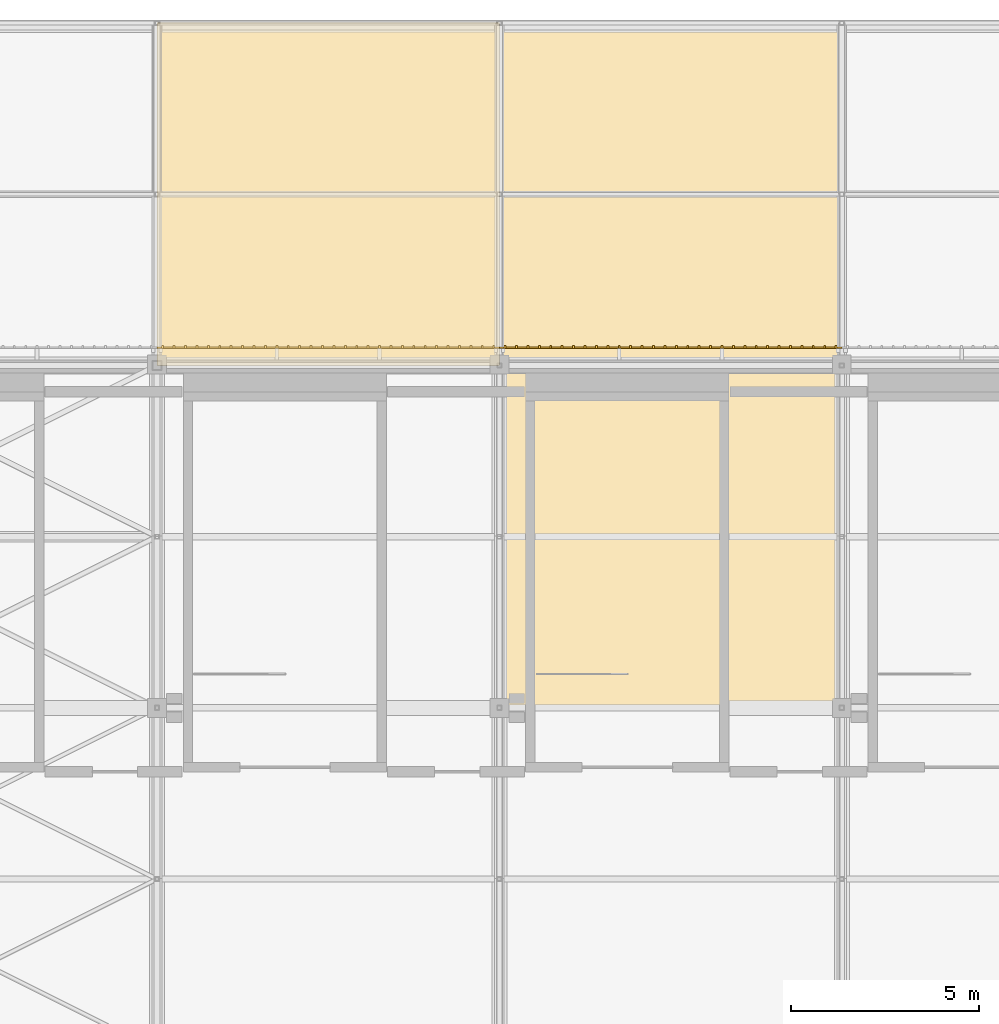
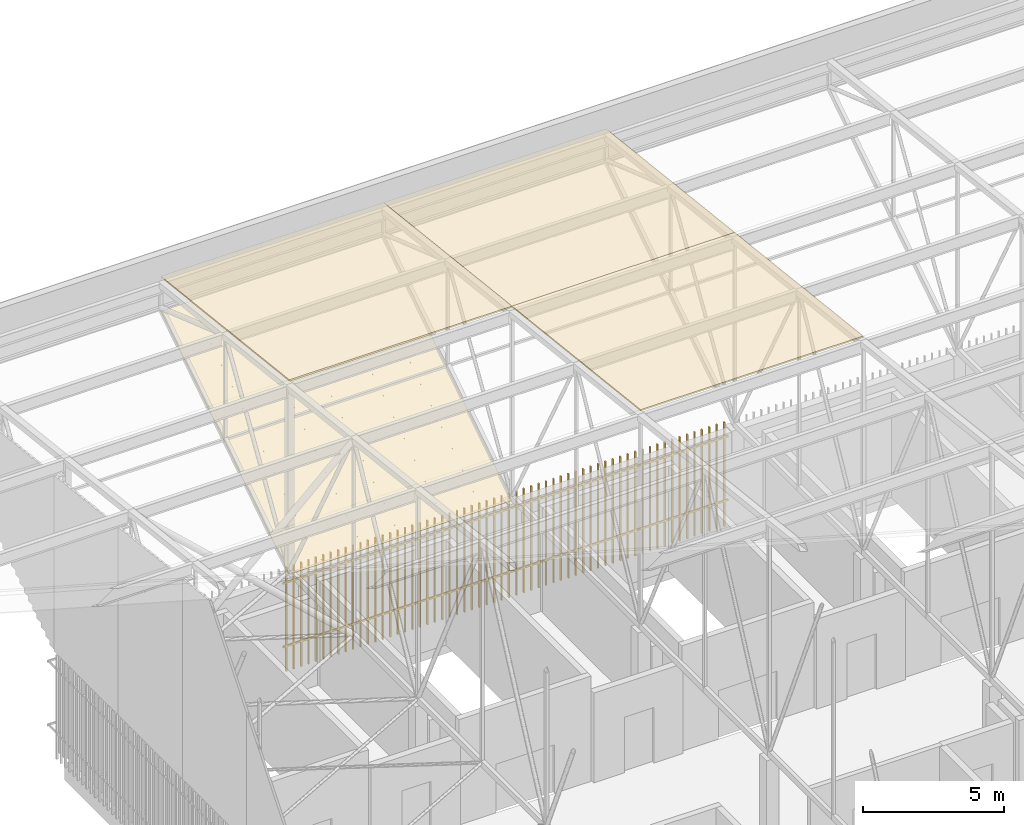
# One storey, part 476 of 500: 4 coverings, 2 shading devices.
"""IFC4 building model written with IfcOpenShell, lengths in metres."""

from ifc_helpers import new_model, si_unit, direction, frame, origin, origin_2d, place, context, subcontext, project, spatial, polyline, rectangle, outline, extrude, material, layer, layer_set, type_object, element, save


model = new_model("IFC4")

# Units and contexts
model_context = context("Model", 3, precision=1e-05, world=origin(), true_north=direction((0.0, 1.0)))
body_context = subcontext(model_context, "Body", "Model", "MODEL_VIEW")
ifc_project = project(units=[si_unit("LENGTHUNIT", "METRE"), si_unit("AREAUNIT", "SQUARE_METRE"), si_unit("VOLUMEUNIT", "CUBIC_METRE"), si_unit("PLANEANGLEUNIT", "RADIAN"), si_unit("MASSUNIT", "GRAM", prefix="KILO")], contexts=[model_context])

# Site, building, storey
site_placement = place(None, origin())
site = spatial("IfcSite", under=ifc_project, at=site_placement, CompositionType="ELEMENT")
building_placement = place(site_placement, origin())
building = spatial("IfcBuilding", under=site, at=building_placement, Name="Shirokan Park Arena", CompositionType="ELEMENT")
storey_placement = place(building_placement, frame((0.0, 0.0, 29.1201171875)))
storey = spatial("IfcBuildingStorey", under=building, at=storey_placement, Name="L06", CompositionType="ELEMENT", Elevation=29.1201171875)

# Coverings
ifc_material_1 = material(Name="Bituminous roofing membrane")
ifc_layer_1 = layer(ifc_material_1, 0.010009765625, Name="Bituminous roofing membrane")
ifc_material_2 = material(Name="Mineral wool insulation")
ifc_layer_2 = layer(ifc_material_2, 0.050048828125, Name="Mineral wool insulation")
ifc_layer_set_1 = layer_set([ifc_layer_1, ifc_layer_2], Name="Bituminous roofing membrane + Mineral wool insulation")
covering_type_1 = type_object("IfcCoveringType", Name="Roofing membrane 60", PredefinedType="ROOFING", material=ifc_layer_set_1)
covering_1_placement = place(storey_placement, frame((9.10009765625, 109.199951171875, 12.9306640625), z_axis=(0.0, 0.113549598152, 0.993532328996), x_axis=(1.0, 0.0, 0.0)))
element("IfcCovering", 1, at=covering_1_placement, inside=storey, type_object=covering_type_1, Name="Roofing", PredefinedType="ROOFING", context=body_context, shape_type="SweptSolid", body=[
    extrude(outline(polyline([(0.0, 0.0), (9.099853515625, 0.0), (9.099853515625, 9.15933723611117), (0.0, 9.15933723611117), (0.0, 0.0)])), origin(), (0.0, 0.0, -1.0), 0.06005859375),
])
covering_2_placement = place(storey_placement, frame((18.199951171875, 100.10009765625, 13.970703125), z_axis=(0.0, 0.113552605302, 0.993531985308), x_axis=(1.0, 0.0, 0.0)))
element("IfcCovering", 2, at=covering_2_placement, inside=storey, type_object=covering_type_1, Name="Roofing", PredefinedType="ROOFING", context=body_context, shape_type="SweptSolid", body=[
    extrude(outline(polyline([(0.0, 0.0), (9.10009765625, 0.0), (9.10009765625, 9.159094674549367), (0.0, 9.159094674549367), (0.0, 0.0)])), origin(), (0.0, 0.0, -1.0), 0.06005859375),
])
covering_3_placement = place(storey_placement, frame((18.199951171875, 109.199951171875, 12.9306640625), z_axis=(0.0, 0.113549598152, 0.993532328996), x_axis=(1.0, 0.0, 0.0)))
element("IfcCovering", 3, at=covering_3_placement, inside=storey, type_object=covering_type_1, Name="Roofing", PredefinedType="ROOFING", context=body_context, shape_type="SweptSolid", body=[
    extrude(outline(polyline([(0.0, 0.0), (9.10009765625, 0.0), (9.10009765625, 9.15933723611117), (0.0, 9.15933723611117), (0.0, 0.0)])), origin(), (0.0, 0.0, -1.0), 0.06005859375),
])
ifc_material_3 = material(Name="Timber soffit boards (cedar)", Category="wood")
ifc_layer_3 = layer(ifc_material_3, 0.030029296875)
ifc_layer_set_2 = layer_set([ifc_layer_3], Name="Timber soffit boards (cedar) 30 mm")
covering_type_2 = type_object("IfcCoveringType", Name="Timber boarded soffit panel", PredefinedType="CLADDING", material=ifc_layer_set_2)
covering_4_placement = place(storey_placement, origin())
element("IfcCovering", 4, at=covering_4_placement, inside=storey, type_object=covering_type_2, Name="Eave soffit north bay 2", PredefinedType="CLADDING", context=body_context, shape_type="SweptSolid", body=[
    extrude(outline(polyline([(0.0, 0.0), (0.1426933218479331, 0.0), (0.1426933218479331, -9.100000000000001), (0.0, -9.100000000000001), (0.0, 0.0)])), frame((18.199951171875, 109.320068359375, 4.60302734375), z_axis=(0.0, -0.541090493936, 0.840964373426), x_axis=(0.0, -0.840964373426, -0.541090493936)), (0.0, 0.0, -1.0), 0.030029296875),
    extrude(outline(polyline([(0.0, 0.0), (0.1426933218479331, 0.0), (0.1426933218479331, -9.100000000000001), (0.0, -9.100000000000001), (0.0, 0.0)])), frame((9.10009765625, 118.179931640625, 10.3037109375), z_axis=(0.0, -0.541090493936, 0.840964373426), x_axis=(0.0, 0.840964373426, 0.541090493936)), (0.0, 0.0, -1.0), 0.030029296875),
    extrude(outline(polyline([(0.0, 0.0), (0.120000000000001, 0.0), (0.120000000000001, -10.535473996759718), (0.0, -10.535473996759718), (0.0, 0.0)])), frame((18.199951171875, 109.320068359375, 4.60302734375), z_axis=(0.0, -0.541084340558, 0.84096833258), x_axis=(-1.0, 0.0, 0.0)), (0.0, 0.0, -1.0), 0.030029296875),
    extrude(outline(polyline([(0.0, 0.0), (0.120000000000001, 0.0), (0.120000000000001, -10.53547399675972), (0.0, -10.53547399675972), (0.0, 0.0)])), frame((9.10009765625, 118.179931640625, 10.3037109375), z_axis=(0.0, -0.541084340558, 0.84096833258), x_axis=(1.0, 0.0, 0.0)), (0.0, 0.0, -1.0), 0.030029296875),
    extrude(outline(polyline([(0.0, 0.0), (10.53547399675972, 0.0), (10.53547399675972, -0.18332999999999977), (0.0, -0.18332999999999977), (0.0, 0.0)])), frame((9.4033203125, 118.179931640625, 10.3037109375), z_axis=(0.0, -0.541084340558, 0.84096833258), x_axis=(0.0, -0.84096833258, -0.541084340558)), (0.0, 0.0, -1.0), 0.030029296875),
    extrude(outline(polyline([(0.0, 0.0), (10.535473996759718, 0.0), (10.535473996759718, -0.3033400000000004), (0.0, -0.3033400000000004), (0.0, 0.0)])), frame((9.706787109375, 118.179931640625, 10.3037109375), z_axis=(0.0, -0.541084340558, 0.84096833258), x_axis=(0.0, -0.84096833258, -0.541084340558)), (0.0, 0.0, -1.0), 0.030029296875),
    extrude(outline(polyline([(0.0, 0.0), (10.535473996759718, 0.0), (10.535473996759718, -0.303329999999999), (0.0, -0.303329999999999), (0.0, 0.0)])), frame((10.010009765625, 118.179931640625, 10.3037109375), z_axis=(0.0, -0.541084340558, 0.84096833258), x_axis=(0.0, -0.84096833258, -0.541084340558)), (0.0, 0.0, -1.0), 0.030029296875),
    extrude(outline(polyline([(0.0, 0.0), (10.535473996759718, 0.0), (10.535473996759718, -0.30333000000000077), (0.0, -0.30333000000000077), (0.0, 0.0)])), frame((10.313232421875, 118.179931640625, 10.3037109375), z_axis=(0.0, -0.541084340558, 0.84096833258), x_axis=(0.0, -0.84096833258, -0.541084340558)), (0.0, 0.0, -1.0), 0.030029296875),
    extrude(outline(polyline([(0.0, 0.0), (10.53547399675972, 0.0), (10.53547399675972, -0.3033399999999986), (0.0, -0.3033399999999986), (0.0, 0.0)])), frame((10.61669921875, 118.179931640625, 10.3037109375), z_axis=(0.0, -0.541084340558, 0.84096833258), x_axis=(0.0, -0.84096833258, -0.541084340558)), (0.0, 0.0, -1.0), 0.030029296875),
    extrude(outline(polyline([(0.0, 0.0), (10.535473996759718, 0.0), (10.535473996759718, -0.30333000000000077), (0.0, -0.30333000000000077), (0.0, 0.0)])), frame((10.919921875, 118.179931640625, 10.3037109375), z_axis=(0.0, -0.541084340558, 0.84096833258), x_axis=(0.0, -0.84096833258, -0.541084340558)), (0.0, 0.0, -1.0), 0.030029296875),
    extrude(outline(polyline([(0.0, 0.0), (10.535473996759718, 0.0), (10.535473996759718, -0.30333000000000077), (0.0, -0.30333000000000077), (0.0, 0.0)])), frame((11.223388671875, 118.179931640625, 10.3037109375), z_axis=(0.0, -0.541084340558, 0.84096833258), x_axis=(0.0, -0.84096833258, -0.541084340558)), (0.0, 0.0, -1.0), 0.030029296875),
    extrude(outline(polyline([(0.0, 0.0), (10.53547399675972, 0.0), (10.53547399675972, -0.3033399999999986), (0.0, -0.3033399999999986), (0.0, 0.0)])), frame((11.526611328125, 118.179931640625, 10.3037109375), z_axis=(0.0, -0.541084340558, 0.84096833258), x_axis=(0.0, -0.84096833258, -0.541084340558)), (0.0, 0.0, -1.0), 0.030029296875),
    extrude(outline(polyline([(0.0, 0.0), (10.53547399675972, 0.0), (10.53547399675972, -0.30333000000000077), (0.0, -0.30333000000000077), (0.0, 0.0)])), frame((11.830078125, 118.179931640625, 10.3037109375), z_axis=(0.0, -0.541084340558, 0.84096833258), x_axis=(0.0, -0.84096833258, -0.541084340558)), (0.0, 0.0, -1.0), 0.030029296875),
    extrude(outline(polyline([(0.0, 0.0), (10.535473996759718, 0.0), (10.535473996759718, -0.30333000000000077), (0.0, -0.30333000000000077), (0.0, 0.0)])), frame((12.13330078125, 118.179931640625, 10.3037109375), z_axis=(0.0, -0.541084340558, 0.84096833258), x_axis=(0.0, -0.84096833258, -0.541084340558)), (0.0, 0.0, -1.0), 0.030029296875),
    extrude(outline(polyline([(0.0, 0.0), (10.53547399675972, 0.0), (10.53547399675972, -0.3033399999999986), (0.0, -0.3033399999999986), (0.0, 0.0)])), frame((12.436767578125, 118.179931640625, 10.3037109375), z_axis=(0.0, -0.541084340558, 0.84096833258), x_axis=(0.0, -0.84096833258, -0.541084340558)), (0.0, 0.0, -1.0), 0.030029296875),
    extrude(outline(polyline([(0.0, 0.0), (10.53547399675972, 0.0), (10.53547399675972, -0.30333000000000077), (0.0, -0.30333000000000077), (0.0, 0.0)])), frame((12.739990234375, 118.179931640625, 10.3037109375), z_axis=(0.0, -0.541084340558, 0.84096833258), x_axis=(0.0, -0.84096833258, -0.541084340558)), (0.0, 0.0, -1.0), 0.030029296875),
    extrude(outline(polyline([(0.0, 0.0), (10.535473996759718, 0.0), (10.535473996759718, -0.303329999999999), (0.0, -0.303329999999999), (0.0, 0.0)])), frame((13.043212890625, 118.179931640625, 10.3037109375), z_axis=(0.0, -0.541084340558, 0.84096833258), x_axis=(0.0, -0.84096833258, -0.541084340558)), (0.0, 0.0, -1.0), 0.030029296875),
    extrude(outline(polyline([(0.0, 0.0), (10.535473996759718, 0.0), (10.535473996759718, -0.3033400000000004), (0.0, -0.3033400000000004), (0.0, 0.0)])), frame((13.3466796875, 118.179931640625, 10.3037109375), z_axis=(0.0, -0.541084340558, 0.84096833258), x_axis=(0.0, -0.84096833258, -0.541084340558)), (0.0, 0.0, -1.0), 0.030029296875),
    extrude(outline(polyline([(0.0, 0.0), (10.53547399675972, 0.0), (10.53547399675972, -0.30333000000000077), (0.0, -0.30333000000000077), (0.0, 0.0)])), frame((13.64990234375, 118.179931640625, 10.3037109375), z_axis=(0.0, -0.541084340558, 0.84096833258), x_axis=(0.0, -0.84096833258, -0.541084340558)), (0.0, 0.0, -1.0), 0.030029296875),
    extrude(outline(polyline([(0.0, 0.0), (10.535473996759718, 0.0), (10.535473996759718, -0.303329999999999), (0.0, -0.303329999999999), (0.0, 0.0)])), frame((13.953369140625, 118.179931640625, 10.3037109375), z_axis=(0.0, -0.541084340558, 0.84096833258), x_axis=(0.0, -0.84096833258, -0.541084340558)), (0.0, 0.0, -1.0), 0.030029296875),
    extrude(outline(polyline([(0.0, 0.0), (10.535473996759718, 0.0), (10.535473996759718, -0.3033400000000004), (0.0, -0.3033400000000004), (0.0, 0.0)])), frame((14.256591796875, 118.179931640625, 10.3037109375), z_axis=(0.0, -0.541084340558, 0.84096833258), x_axis=(0.0, -0.84096833258, -0.541084340558)), (0.0, 0.0, -1.0), 0.030029296875),
    extrude(outline(polyline([(0.0, 0.0), (10.535473996759718, 0.0), (10.535473996759718, -0.30333000000000077), (0.0, -0.30333000000000077), (0.0, 0.0)])), frame((14.56005859375, 118.179931640625, 10.3037109375), z_axis=(0.0, -0.541084340558, 0.84096833258), x_axis=(0.0, -0.84096833258, -0.541084340558)), (0.0, 0.0, -1.0), 0.030029296875),
    extrude(outline(polyline([(0.0, 0.0), (10.535473996759718, 0.0), (10.535473996759718, -0.303329999999999), (0.0, -0.303329999999999), (0.0, 0.0)])), frame((14.86328125, 118.179931640625, 10.3037109375), z_axis=(0.0, -0.541084340558, 0.84096833258), x_axis=(0.0, -0.84096833258, -0.541084340558)), (0.0, 0.0, -1.0), 0.030029296875),
    extrude(outline(polyline([(0.0, 0.0), (10.535473996759718, 0.0), (10.535473996759718, -0.3033400000000004), (0.0, -0.3033400000000004), (0.0, 0.0)])), frame((15.166748046875, 118.179931640625, 10.3037109375), z_axis=(0.0, -0.541084340558, 0.84096833258), x_axis=(0.0, -0.84096833258, -0.541084340558)), (0.0, 0.0, -1.0), 0.030029296875),
    extrude(outline(polyline([(0.0, 0.0), (10.535473996759718, 0.0), (10.535473996759718, -0.30333000000000077), (0.0, -0.30333000000000077), (0.0, 0.0)])), frame((15.469970703125, 118.179931640625, 10.3037109375), z_axis=(0.0, -0.541084340558, 0.84096833258), x_axis=(0.0, -0.84096833258, -0.541084340558)), (0.0, 0.0, -1.0), 0.030029296875),
    extrude(outline(polyline([(0.0, 0.0), (10.535473996759718, 0.0), (10.535473996759718, -0.303329999999999), (0.0, -0.303329999999999), (0.0, 0.0)])), frame((15.7734375, 118.179931640625, 10.3037109375), z_axis=(0.0, -0.541084340558, 0.84096833258), x_axis=(0.0, -0.84096833258, -0.541084340558)), (0.0, 0.0, -1.0), 0.030029296875),
    extrude(outline(polyline([(0.0, 0.0), (10.535473996759718, 0.0), (10.535473996759718, -0.3033400000000004), (0.0, -0.3033400000000004), (0.0, 0.0)])), frame((16.07666015625, 118.179931640625, 10.3037109375), z_axis=(0.0, -0.541084340558, 0.84096833258), x_axis=(0.0, -0.84096833258, -0.541084340558)), (0.0, 0.0, -1.0), 0.030029296875),
    extrude(outline(polyline([(0.0, 0.0), (10.535473996759718, 0.0), (10.535473996759718, -0.303329999999999), (0.0, -0.303329999999999), (0.0, 0.0)])), frame((16.3798828125, 118.179931640625, 10.3037109375), z_axis=(0.0, -0.541084340558, 0.84096833258), x_axis=(0.0, -0.84096833258, -0.541084340558)), (0.0, 0.0, -1.0), 0.030029296875),
    extrude(outline(polyline([(0.0, 0.0), (10.535473996759718, 0.0), (10.535473996759718, -0.30333000000000254), (0.0, -0.30333000000000254), (0.0, 0.0)])), frame((16.683349609375, 118.179931640625, 10.3037109375), z_axis=(0.0, -0.541084340558, 0.84096833258), x_axis=(0.0, -0.84096833258, -0.541084340558)), (0.0, 0.0, -1.0), 0.030029296875),
    extrude(outline(polyline([(0.0, 0.0), (10.535473996759718, 0.0), (10.535473996759718, -0.3033399999999986), (0.0, -0.3033399999999986), (0.0, 0.0)])), frame((16.986572265625, 118.179931640625, 10.3037109375), z_axis=(0.0, -0.541084340558, 0.84096833258), x_axis=(0.0, -0.84096833258, -0.541084340558)), (0.0, 0.0, -1.0), 0.030029296875),
    extrude(outline(polyline([(0.0, 0.0), (10.535473996759718, 0.0), (10.535473996759718, -0.303329999999999), (0.0, -0.303329999999999), (0.0, 0.0)])), frame((17.2900390625, 118.179931640625, 10.3037109375), z_axis=(0.0, -0.541084340558, 0.84096833258), x_axis=(0.0, -0.84096833258, -0.541084340558)), (0.0, 0.0, -1.0), 0.030029296875),
    extrude(outline(polyline([(0.0, 0.0), (10.535473996759718, 0.0), (10.535473996759718, -0.30333000000000254), (0.0, -0.30333000000000254), (0.0, 0.0)])), frame((17.59326171875, 118.179931640625, 10.3037109375), z_axis=(0.0, -0.541084340558, 0.84096833258), x_axis=(0.0, -0.84096833258, -0.541084340558)), (0.0, 0.0, -1.0), 0.030029296875),
    extrude(outline(polyline([(0.0, 0.0), (10.535473996759718, 0.0), (10.535473996759718, -0.3033399999999986), (0.0, -0.3033399999999986), (0.0, 0.0)])), frame((17.896728515625, 118.179931640625, 10.3037109375), z_axis=(0.0, -0.541084340558, 0.84096833258), x_axis=(0.0, -0.84096833258, -0.541084340558)), (0.0, 0.0, -1.0), 0.030029296875),
    extrude(outline(polyline([(0.0, 0.0), (10.535473996759718, 0.0), (10.535473996759718, -0.183329999999998), (0.0, -0.183329999999998), (0.0, 0.0)])), frame((18.080078125, 118.179931640625, 10.3037109375), z_axis=(0.0, -0.541084340558, 0.84096833258), x_axis=(0.0, -0.84096833258, -0.541084340558)), (0.0, 0.0, -1.0), 0.030029296875),
])

# Shading devices
ifc_material_4 = material(Name="Timber louvre veil (cedar)", Category="wood")
shading_device_type = type_object("IfcShadingDeviceType", Name="Timber louvre veil panel", PredefinedType="JALOUSIE", material=ifc_material_4)
shading_device_1_placement = place(storey_placement, origin())
element("IfcShadingDevice", 5, at=shading_device_1_placement, inside=storey, type_object=shading_device_type, Name="Timber louvre veil north bay 14 L06", PredefinedType="JALOUSIE", context=body_context, shape_type="SweptSolid", body=[
    extrude(rectangle(XDim=0.050048828125, YDim=0.080078125, at=origin_2d()), frame((27.1484375, 109.68505859375, 0.0), z_axis=(0.0, 0.0, 1.0), x_axis=(-1.0, 0.0, 0.0)), (0.0, 0.0, 1.0), 4.5),
    extrude(rectangle(XDim=0.050048828125, YDim=0.080078125, at=origin_2d()), frame((26.844970703125, 109.68505859375, 0.0), z_axis=(0.0, 0.0, 1.0), x_axis=(-1.0, 0.0, 0.0)), (0.0, 0.0, 1.0), 4.5),
    extrude(rectangle(XDim=0.050048828125, YDim=0.080078125, at=origin_2d()), frame((26.541748046875, 109.68505859375, 0.0), z_axis=(0.0, 0.0, 1.0), x_axis=(-1.0, 0.0, 0.0)), (0.0, 0.0, 1.0), 4.5),
    extrude(rectangle(XDim=0.050048828125, YDim=0.080078125, at=origin_2d()), frame((26.23828125, 109.68505859375, 0.0), z_axis=(0.0, 0.0, 1.0), x_axis=(-1.0, 0.0, 0.0)), (0.0, 0.0, 1.0), 4.5),
    extrude(rectangle(XDim=0.050048828125, YDim=0.080078125, at=origin_2d()), frame((25.93505859375, 109.68505859375, 0.0), z_axis=(0.0, 0.0, 1.0), x_axis=(-1.0, 0.0, 0.0)), (0.0, 0.0, 1.0), 4.5),
    extrude(rectangle(XDim=0.050048828125, YDim=0.080078125, at=origin_2d()), frame((25.631591796875, 109.68505859375, 0.0), z_axis=(0.0, 0.0, 1.0), x_axis=(-1.0, 0.0, 0.0)), (0.0, 0.0, 1.0), 4.5),
    extrude(rectangle(XDim=0.050048828125, YDim=0.080078125, at=origin_2d()), frame((25.328369140625, 109.68505859375, 0.0), z_axis=(0.0, 0.0, 1.0), x_axis=(-1.0, 0.0, 0.0)), (0.0, 0.0, 1.0), 4.5),
    extrude(rectangle(XDim=0.050048828125, YDim=0.080078125, at=origin_2d()), frame((25.02490234375, 109.68505859375, 0.0), z_axis=(0.0, 0.0, 1.0), x_axis=(-1.0, 0.0, 0.0)), (0.0, 0.0, 1.0), 4.5),
    extrude(rectangle(XDim=0.050048828125, YDim=0.080078125, at=origin_2d()), frame((24.7216796875, 109.68505859375, 0.0), z_axis=(0.0, 0.0, 1.0), x_axis=(-1.0, 0.0, 0.0)), (0.0, 0.0, 1.0), 4.5),
    extrude(rectangle(XDim=0.050048828125, YDim=0.080078125, at=origin_2d()), frame((24.418212890625, 109.68505859375, 0.0), z_axis=(0.0, 0.0, 1.0), x_axis=(-1.0, 0.0, 0.0)), (0.0, 0.0, 1.0), 4.5),
    extrude(rectangle(XDim=0.050048828125, YDim=0.080078125, at=origin_2d()), frame((24.114990234375, 109.68505859375, 0.0), z_axis=(0.0, 0.0, 1.0), x_axis=(-1.0, 0.0, 0.0)), (0.0, 0.0, 1.0), 4.5),
    extrude(rectangle(XDim=0.050048828125, YDim=0.080078125, at=origin_2d()), frame((23.811767578125, 109.68505859375, 0.0), z_axis=(0.0, 0.0, 1.0), x_axis=(-1.0, 0.0, 0.0)), (0.0, 0.0, 1.0), 4.5),
    extrude(rectangle(XDim=0.050048828125, YDim=0.080078125, at=origin_2d()), frame((23.50830078125, 109.68505859375, 0.0), z_axis=(0.0, 0.0, 1.0), x_axis=(-1.0, 0.0, 0.0)), (0.0, 0.0, 1.0), 4.5),
    extrude(rectangle(XDim=0.050048828125, YDim=0.080078125, at=origin_2d()), frame((23.205078125, 109.68505859375, 0.0), z_axis=(0.0, 0.0, 1.0), x_axis=(-1.0, 0.0, 0.0)), (0.0, 0.0, 1.0), 4.5),
    extrude(rectangle(XDim=0.050048828125, YDim=0.080078125, at=origin_2d()), frame((22.901611328125, 109.68505859375, 0.0), z_axis=(0.0, 0.0, 1.0), x_axis=(-1.0, 0.0, 0.0)), (0.0, 0.0, 1.0), 4.5),
    extrude(rectangle(XDim=0.050048828125, YDim=0.080078125, at=origin_2d()), frame((22.598388671875, 109.68505859375, 0.0), z_axis=(0.0, 0.0, 1.0), x_axis=(-1.0, 0.0, 0.0)), (0.0, 0.0, 1.0), 4.5),
    extrude(rectangle(XDim=0.050048828125, YDim=0.080078125, at=origin_2d()), frame((22.294921875, 109.68505859375, 0.0), z_axis=(0.0, 0.0, 1.0), x_axis=(-1.0, 0.0, 0.0)), (0.0, 0.0, 1.0), 4.5),
    extrude(rectangle(XDim=0.050048828125, YDim=0.080078125, at=origin_2d()), frame((21.99169921875, 109.68505859375, 0.0), z_axis=(0.0, 0.0, 1.0), x_axis=(-1.0, 0.0, 0.0)), (0.0, 0.0, 1.0), 4.5),
    extrude(rectangle(XDim=0.050048828125, YDim=0.080078125, at=origin_2d()), frame((21.688232421875, 109.68505859375, 0.0), z_axis=(0.0, 0.0, 1.0), x_axis=(-1.0, 0.0, 0.0)), (0.0, 0.0, 1.0), 4.5),
    extrude(rectangle(XDim=0.050048828125, YDim=0.080078125, at=origin_2d()), frame((21.385009765625, 109.68505859375, 0.0), z_axis=(0.0, 0.0, 1.0), x_axis=(-1.0, 0.0, 0.0)), (0.0, 0.0, 1.0), 4.5),
    extrude(rectangle(XDim=0.050048828125, YDim=0.080078125, at=origin_2d()), frame((21.081787109375, 109.68505859375, 0.0), z_axis=(0.0, 0.0, 1.0), x_axis=(-1.0, 0.0, 0.0)), (0.0, 0.0, 1.0), 4.5),
    extrude(rectangle(XDim=0.050048828125, YDim=0.080078125, at=origin_2d()), frame((20.7783203125, 109.68505859375, 0.0), z_axis=(0.0, 0.0, 1.0), x_axis=(-1.0, 0.0, 0.0)), (0.0, 0.0, 1.0), 4.5),
    extrude(rectangle(XDim=0.050048828125, YDim=0.080078125, at=origin_2d()), frame((20.47509765625, 109.68505859375, 0.0), z_axis=(0.0, 0.0, 1.0), x_axis=(-1.0, 0.0, 0.0)), (0.0, 0.0, 1.0), 4.5),
    extrude(rectangle(XDim=0.050048828125, YDim=0.080078125, at=origin_2d()), frame((20.171630859375, 109.68505859375, 0.0), z_axis=(0.0, 0.0, 1.0), x_axis=(-1.0, 0.0, 0.0)), (0.0, 0.0, 1.0), 4.5),
    extrude(rectangle(XDim=0.050048828125, YDim=0.080078125, at=origin_2d()), frame((19.868408203125, 109.68505859375, 0.0), z_axis=(0.0, 0.0, 1.0), x_axis=(-1.0, 0.0, 0.0)), (0.0, 0.0, 1.0), 4.5),
    extrude(rectangle(XDim=0.050048828125, YDim=0.080078125, at=origin_2d()), frame((19.56494140625, 109.68505859375, 0.0), z_axis=(0.0, 0.0, 1.0), x_axis=(-1.0, 0.0, 0.0)), (0.0, 0.0, 1.0), 4.5),
    extrude(rectangle(XDim=0.050048828125, YDim=0.080078125, at=origin_2d()), frame((19.26171875, 109.68505859375, 0.0), z_axis=(0.0, 0.0, 1.0), x_axis=(-1.0, 0.0, 0.0)), (0.0, 0.0, 1.0), 4.5),
    extrude(rectangle(XDim=0.050048828125, YDim=0.080078125, at=origin_2d()), frame((18.958251953125, 109.68505859375, 0.0), z_axis=(0.0, 0.0, 1.0), x_axis=(-1.0, 0.0, 0.0)), (0.0, 0.0, 1.0), 4.5),
    extrude(rectangle(XDim=0.050048828125, YDim=0.080078125, at=origin_2d()), frame((18.655029296875, 109.68505859375, 0.0), z_axis=(0.0, 0.0, 1.0), x_axis=(-1.0, 0.0, 0.0)), (0.0, 0.0, 1.0), 4.5),
    extrude(rectangle(XDim=0.050048828125, YDim=0.080078125, at=origin_2d()), frame((18.3515625, 109.68505859375, 0.0), z_axis=(0.0, 0.0, 1.0), x_axis=(-1.0, 0.0, 0.0)), (0.0, 0.0, 1.0), 4.5),
    extrude(rectangle(XDim=9.10009765625, YDim=0.050048828125, at=origin_2d()), frame((22.75, 109.669921875, 1.059814453125), z_axis=(0.0, 0.0, 1.0), x_axis=(-1.0, 0.0, 0.0)), (0.0, 0.0, 1.0), 0.080078125),
    extrude(rectangle(XDim=9.10009765625, YDim=0.050048828125, at=origin_2d()), frame((22.75, 109.669921875, 3.809814453125), z_axis=(0.0, 0.0, 1.0), x_axis=(-1.0, 0.0, 0.0)), (0.0, 0.0, 1.0), 0.080078125),
])
shading_device_2_placement = place(storey_placement, origin())
element("IfcShadingDevice", 6, at=shading_device_2_placement, inside=storey, type_object=shading_device_type, Name="Timber louvre veil north bay 15 L06", PredefinedType="JALOUSIE", context=body_context, shape_type="SweptSolid", body=[
    extrude(rectangle(XDim=0.050048828125, YDim=0.080078125, at=origin_2d()), frame((18.04833984375, 109.68505859375, 0.0), z_axis=(0.0, 0.0, 1.0), x_axis=(-1.0, 0.0, 0.0)), (0.0, 0.0, 1.0), 4.5),
    extrude(rectangle(XDim=0.050048828125, YDim=0.080078125, at=origin_2d()), frame((17.7451171875, 109.68505859375, 0.0), z_axis=(0.0, 0.0, 1.0), x_axis=(-1.0, 0.0, 0.0)), (0.0, 0.0, 1.0), 4.5),
    extrude(rectangle(XDim=0.050048828125, YDim=0.080078125, at=origin_2d()), frame((17.441650390625, 109.68505859375, 0.0), z_axis=(0.0, 0.0, 1.0), x_axis=(-1.0, 0.0, 0.0)), (0.0, 0.0, 1.0), 4.5),
    extrude(rectangle(XDim=0.050048828125, YDim=0.080078125, at=origin_2d()), frame((17.138427734375, 109.68505859375, 0.0), z_axis=(0.0, 0.0, 1.0), x_axis=(-1.0, 0.0, 0.0)), (0.0, 0.0, 1.0), 4.5),
    extrude(rectangle(XDim=0.050048828125, YDim=0.080078125, at=origin_2d()), frame((16.8349609375, 109.68505859375, 0.0), z_axis=(0.0, 0.0, 1.0), x_axis=(-1.0, 0.0, 0.0)), (0.0, 0.0, 1.0), 4.5),
    extrude(rectangle(XDim=0.050048828125, YDim=0.080078125, at=origin_2d()), frame((16.53173828125, 109.68505859375, 0.0), z_axis=(0.0, 0.0, 1.0), x_axis=(-1.0, 0.0, 0.0)), (0.0, 0.0, 1.0), 4.5),
    extrude(rectangle(XDim=0.050048828125, YDim=0.080078125, at=origin_2d()), frame((16.228271484375, 109.68505859375, 0.0), z_axis=(0.0, 0.0, 1.0), x_axis=(-1.0, 0.0, 0.0)), (0.0, 0.0, 1.0), 4.5),
    extrude(rectangle(XDim=0.050048828125, YDim=0.080078125, at=origin_2d()), frame((15.925048828125, 109.68505859375, 0.0), z_axis=(0.0, 0.0, 1.0), x_axis=(-1.0, 0.0, 0.0)), (0.0, 0.0, 1.0), 4.5),
    extrude(rectangle(XDim=0.050048828125, YDim=0.080078125, at=origin_2d()), frame((15.62158203125, 109.68505859375, 0.0), z_axis=(0.0, 0.0, 1.0), x_axis=(-1.0, 0.0, 0.0)), (0.0, 0.0, 1.0), 4.5),
    extrude(rectangle(XDim=0.050048828125, YDim=0.080078125, at=origin_2d()), frame((15.318359375, 109.68505859375, 0.0), z_axis=(0.0, 0.0, 1.0), x_axis=(-1.0, 0.0, 0.0)), (0.0, 0.0, 1.0), 4.5),
    extrude(rectangle(XDim=0.050048828125, YDim=0.080078125, at=origin_2d()), frame((15.014892578125, 109.68505859375, 0.0), z_axis=(0.0, 0.0, 1.0), x_axis=(-1.0, 0.0, 0.0)), (0.0, 0.0, 1.0), 4.5),
    extrude(rectangle(XDim=0.050048828125, YDim=0.080078125, at=origin_2d()), frame((14.711669921875, 109.68505859375, 0.0), z_axis=(0.0, 0.0, 1.0), x_axis=(-1.0, 0.0, 0.0)), (0.0, 0.0, 1.0), 4.5),
    extrude(rectangle(XDim=0.050048828125, YDim=0.080078125, at=origin_2d()), frame((14.408447265625, 109.68505859375, 0.0), z_axis=(0.0, 0.0, 1.0), x_axis=(-1.0, 0.0, 0.0)), (0.0, 0.0, 1.0), 4.5),
    extrude(rectangle(XDim=0.050048828125, YDim=0.080078125, at=origin_2d()), frame((14.10498046875, 109.68505859375, 0.0), z_axis=(0.0, 0.0, 1.0), x_axis=(-1.0, 0.0, 0.0)), (0.0, 0.0, 1.0), 4.5),
    extrude(rectangle(XDim=0.050048828125, YDim=0.080078125, at=origin_2d()), frame((13.8017578125, 109.68505859375, 0.0), z_axis=(0.0, 0.0, 1.0), x_axis=(-1.0, 0.0, 0.0)), (0.0, 0.0, 1.0), 4.5),
    extrude(rectangle(XDim=0.050048828125, YDim=0.080078125, at=origin_2d()), frame((13.498291015625, 109.68505859375, 0.0), z_axis=(0.0, 0.0, 1.0), x_axis=(-1.0, 0.0, 0.0)), (0.0, 0.0, 1.0), 4.5),
    extrude(rectangle(XDim=0.050048828125, YDim=0.080078125, at=origin_2d()), frame((13.195068359375, 109.68505859375, 0.0), z_axis=(0.0, 0.0, 1.0), x_axis=(-1.0, 0.0, 0.0)), (0.0, 0.0, 1.0), 4.5),
    extrude(rectangle(XDim=0.050048828125, YDim=0.080078125, at=origin_2d()), frame((12.8916015625, 109.68505859375, 0.0), z_axis=(0.0, 0.0, 1.0), x_axis=(-1.0, 0.0, 0.0)), (0.0, 0.0, 1.0), 4.5),
    extrude(rectangle(XDim=0.050048828125, YDim=0.080078125, at=origin_2d()), frame((12.58837890625, 109.68505859375, 0.0), z_axis=(0.0, 0.0, 1.0), x_axis=(-1.0, 0.0, 0.0)), (0.0, 0.0, 1.0), 4.5),
    extrude(rectangle(XDim=0.050048828125, YDim=0.080078125, at=origin_2d()), frame((12.284912109375, 109.68505859375, 0.0), z_axis=(0.0, 0.0, 1.0), x_axis=(-1.0, 0.0, 0.0)), (0.0, 0.0, 1.0), 4.5),
    extrude(rectangle(XDim=0.050048828125, YDim=0.080078125, at=origin_2d()), frame((11.981689453125, 109.68505859375, 0.0), z_axis=(0.0, 0.0, 1.0), x_axis=(-1.0, 0.0, 0.0)), (0.0, 0.0, 1.0), 4.5),
    extrude(rectangle(XDim=0.050048828125, YDim=0.080078125, at=origin_2d()), frame((11.67822265625, 109.68505859375, 0.0), z_axis=(0.0, 0.0, 1.0), x_axis=(-1.0, 0.0, 0.0)), (0.0, 0.0, 1.0), 4.5),
    extrude(rectangle(XDim=0.050048828125, YDim=0.080078125, at=origin_2d()), frame((11.375, 109.68505859375, 0.0), z_axis=(0.0, 0.0, 1.0), x_axis=(-1.0, 0.0, 0.0)), (0.0, 0.0, 1.0), 4.5),
    extrude(rectangle(XDim=0.050048828125, YDim=0.080078125, at=origin_2d()), frame((11.07177734375, 109.68505859375, 0.0), z_axis=(0.0, 0.0, 1.0), x_axis=(-1.0, 0.0, 0.0)), (0.0, 0.0, 1.0), 4.5),
    extrude(rectangle(XDim=0.050048828125, YDim=0.080078125, at=origin_2d()), frame((10.768310546875, 109.68505859375, 0.0), z_axis=(0.0, 0.0, 1.0), x_axis=(-1.0, 0.0, 0.0)), (0.0, 0.0, 1.0), 4.5),
    extrude(rectangle(XDim=0.050048828125, YDim=0.080078125, at=origin_2d()), frame((10.465087890625, 109.68505859375, 0.0), z_axis=(0.0, 0.0, 1.0), x_axis=(-1.0, 0.0, 0.0)), (0.0, 0.0, 1.0), 4.5),
    extrude(rectangle(XDim=0.050048828125, YDim=0.080078125, at=origin_2d()), frame((10.16162109375, 109.68505859375, 0.0), z_axis=(0.0, 0.0, 1.0), x_axis=(-1.0, 0.0, 0.0)), (0.0, 0.0, 1.0), 4.5),
    extrude(rectangle(XDim=0.050048828125, YDim=0.080078125, at=origin_2d()), frame((9.8583984375, 109.68505859375, 0.0), z_axis=(0.0, 0.0, 1.0), x_axis=(-1.0, 0.0, 0.0)), (0.0, 0.0, 1.0), 4.5),
    extrude(rectangle(XDim=0.050048828125, YDim=0.080078125, at=origin_2d()), frame((9.554931640625, 109.68505859375, 0.0), z_axis=(0.0, 0.0, 1.0), x_axis=(-1.0, 0.0, 0.0)), (0.0, 0.0, 1.0), 4.5),
    extrude(rectangle(XDim=0.050048828125, YDim=0.080078125, at=origin_2d()), frame((9.251708984375, 109.68505859375, 0.0), z_axis=(0.0, 0.0, 1.0), x_axis=(-1.0, 0.0, 0.0)), (0.0, 0.0, 1.0), 4.5),
    extrude(rectangle(XDim=9.10009765625, YDim=0.050048828125, at=origin_2d()), frame((13.64990234375, 109.669921875, 1.059814453125), z_axis=(0.0, 0.0, 1.0), x_axis=(-1.0, 0.0, 0.0)), (0.0, 0.0, 1.0), 0.080078125),
    extrude(rectangle(XDim=9.10009765625, YDim=0.050048828125, at=origin_2d()), frame((13.64990234375, 109.669921875, 3.809814453125), z_axis=(0.0, 0.0, 1.0), x_axis=(-1.0, 0.0, 0.0)), (0.0, 0.0, 1.0), 0.080078125),
])

save(model, "model.ifc")
